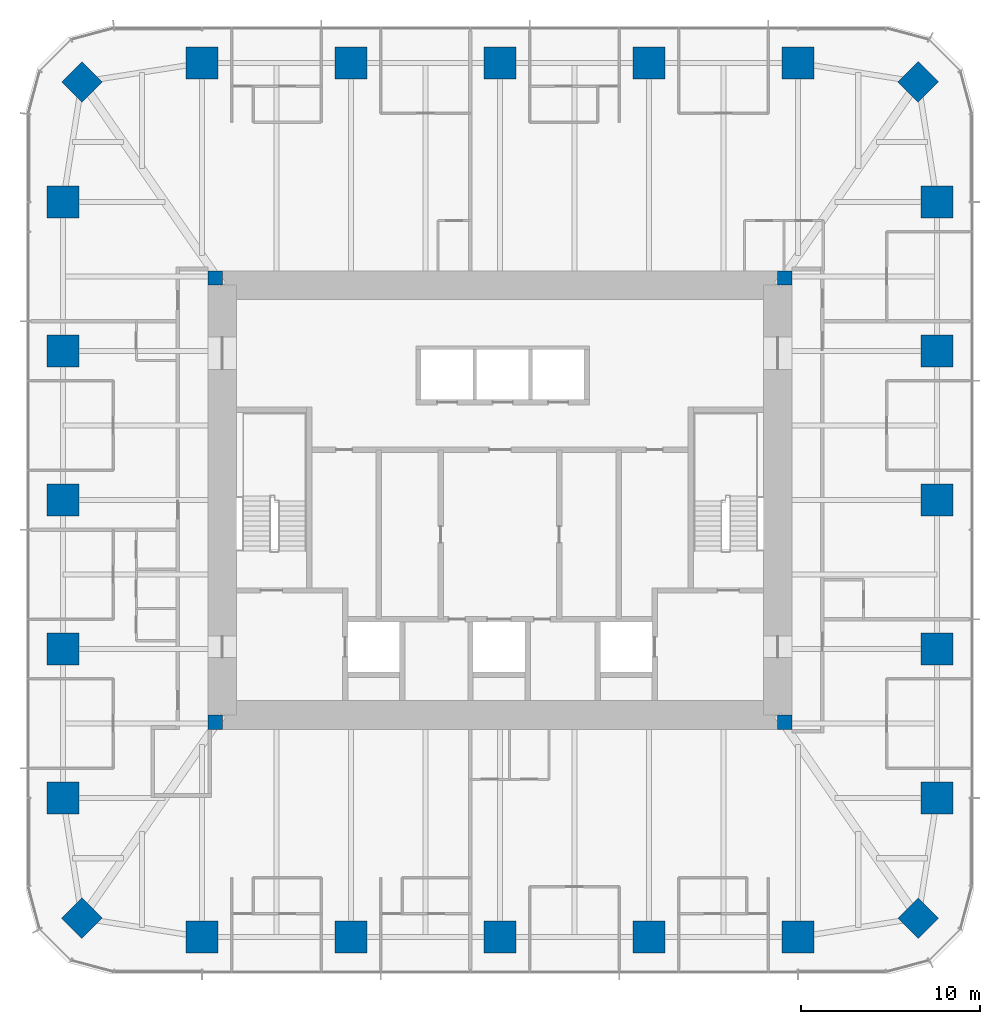
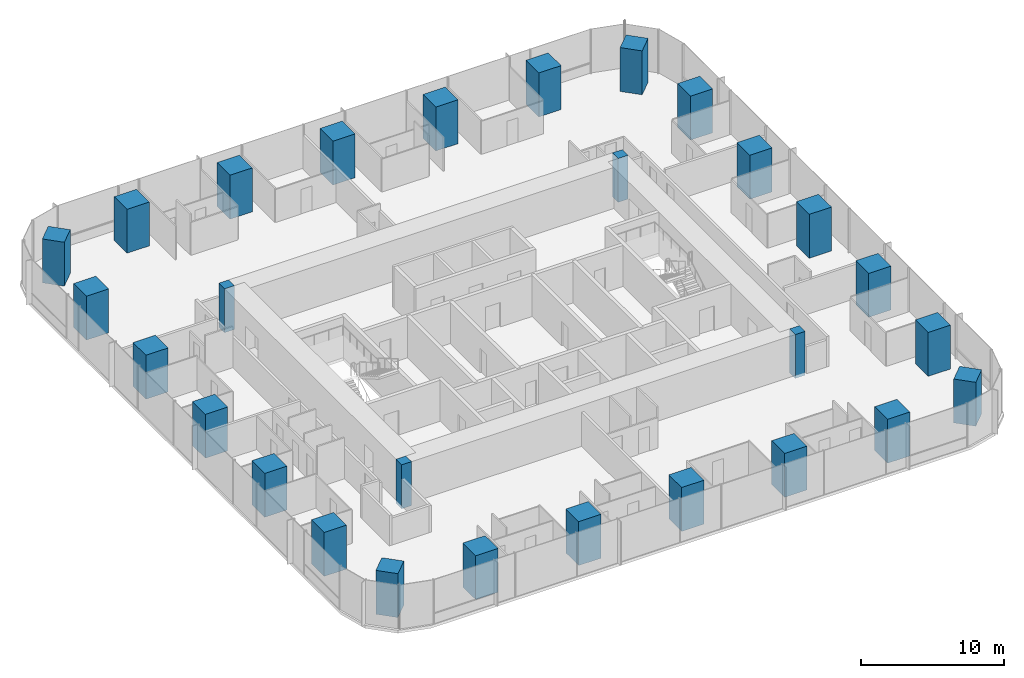
# One storey, part 1 of 12: 28 columns.
"""IFC4 building model written with IfcOpenShell, lengths in metres."""

from ifc_helpers import new_model, si_unit, direction, frame, origin, origin_2d, place, context, subcontext, project, spatial, rectangle, extrude, material, material_profile, profile_set, type_object, element, save


model = new_model("IFC4")

# Units and contexts
model_context = context("Model", 3, precision=1e-05, world=origin(), true_north=direction((0.0, 1.0)))
body_context = subcontext(model_context, "Body", "Model", "MODEL_VIEW")
ifc_project = project(units=[si_unit("LENGTHUNIT", "METRE"), si_unit("AREAUNIT", "SQUARE_METRE"), si_unit("VOLUMEUNIT", "CUBIC_METRE"), si_unit("PLANEANGLEUNIT", "RADIAN"), si_unit("MASSUNIT", "GRAM", prefix="KILO")], contexts=[model_context])

# Site, building, storey
site_placement = place(None, origin())
site = spatial("IfcSite", under=ifc_project, at=site_placement, CompositionType="ELEMENT")
building_placement = place(site_placement, origin())
building = spatial("IfcBuilding", under=site, at=building_placement, Name="Khuree Lantern Residences", CompositionType="ELEMENT")
storey_placement = place(building_placement, frame((0.0, 0.0, 214.5)))
storey = spatial("IfcBuildingStorey", under=building, at=storey_placement, Name="L53", CompositionType="ELEMENT", Elevation=214.5)

# Columns
ifc_material_1 = material(Name="Concrete C70/85", Category="concrete")
ifc_material_profile_1 = material_profile(ifc_material_1, rectangle(XDim=1.60009765625, YDim=1.60009765625, at=origin_2d()), Name="RC 1600X1600")
ifc_profile_set_1 = profile_set([ifc_material_profile_1], Name="Concrete C70/85")
column_type_1 = type_object("IfcColumnType", Name="CC1600A PERIMETER CORNER COLUMN RC 1600X1600", PredefinedType="COLUMN", material=ifc_profile_set_1)
for number, where, z_axis, x_axis, name in (
    (1, (23.345703125, 23.345703125, 0.0), (0.0, 0.0, 1.0), (0.707106781187, -0.707106781187, 0.0), "Perimeter column NE"),
    (2, (23.345703125, -23.345703125, 0.0), (0.0, 0.0, 1.0), (0.707106781187, 0.707106781187, 0.0), "Perimeter column SE"),
    (3, (-23.345703125, -23.345703125, 0.0), (0.0, 0.0, 1.0), (0.707106781187, -0.707106781187, 0.0), "Perimeter column SW"),
    (4, (-23.345703125, 23.345703125, 0.0), (0.0, 0.0, 1.0), (0.707106781187, 0.707106781187, 0.0), "Perimeter column NW"),
):
    element("IfcColumn", number, at=place(storey_placement, frame(where, z_axis=z_axis, x_axis=x_axis)), inside=storey, type_object=column_type_1, Name=name, PredefinedType="COLUMN", context=body_context, shape_type="SweptSolid", body=[
        extrude(rectangle(XDim=1.60009765625, YDim=1.60009765625, at=origin_2d()), origin(), (0.0, 0.0, 1.0), 3.75),
    ])
ifc_material_2 = material(Name="Concrete C50/60", Category="concrete")
ifc_material_profile_2 = material_profile(ifc_material_2, rectangle(XDim=0.800048828125, YDim=0.800048828125, at=origin_2d()), Name="RC 800X800")
ifc_profile_set_2 = profile_set([ifc_material_profile_2], Name="Concrete C50/60")
column_type_2 = type_object("IfcColumnType", Name="CP800-C50 CORE CORNER PIER C50 RC 800X800", PredefinedType="COLUMN", material=ifc_profile_set_2)
for number, where, z_axis, x_axis, name in (
    (5, (15.89990234375, 12.39990234375, -0.25), (0.0, 0.0, 1.0), (1.0, 0.0, 0.0), "Core corner pier NE"),
    (6, (-15.89990234375, 12.39990234375, -0.25), (0.0, 0.0, 1.0), (1.0, 0.0, 0.0), "Core corner pier NW"),
    (7, (-15.89990234375, -12.39990234375, -0.25), (0.0, 0.0, 1.0), (1.0, 0.0, 0.0), "Core corner pier SW"),
    (8, (15.89990234375, -12.39990234375, -0.25), (0.0, 0.0, 1.0), (1.0, 0.0, 0.0), "Core corner pier SE"),
):
    element("IfcColumn", number, at=place(storey_placement, frame(where, z_axis=z_axis, x_axis=x_axis)), inside=storey, type_object=column_type_2, Name=name, PredefinedType="COLUMN", context=body_context, shape_type="SweptSolid", body=[
        extrude(rectangle(XDim=0.800048828125, YDim=0.800048828125, at=origin_2d()), origin(), (0.0, 0.0, 1.0), 3.75),
    ])
ifc_material_profile_3 = material_profile(ifc_material_1, rectangle(XDim=1.800048828125, YDim=1.800048828125, at=origin_2d()), Name="RC 1800X1800")
ifc_profile_set_3 = profile_set([ifc_material_profile_3], Name="Concrete C70/85")
column_type_3 = type_object("IfcColumnType", Name="PC4 PERIMETER COLUMN RC 1800X1800", PredefinedType="COLUMN", material=ifc_profile_set_3)
for number, where, z_axis, x_axis, name in (
    (9, (-16.639892578125, 24.39990234375, 0.0), (0.0, 0.0, 1.0), (1.0, 0.0, 0.0), "Perimeter column N1"),
    (10, (-8.320068359375, 24.39990234375, 0.0), (0.0, 0.0, 1.0), (1.0, 0.0, 0.0), "Perimeter column N2"),
    (11, (0.0, 24.39990234375, 0.0), (0.0, 0.0, 1.0), (1.0, 0.0, 0.0), "Perimeter column N3"),
    (12, (8.320068359375, 24.39990234375, 0.0), (0.0, 0.0, 1.0), (1.0, 0.0, 0.0), "Perimeter column N4"),
    (13, (16.639892578125, 24.39990234375, 0.0), (0.0, 0.0, 1.0), (1.0, 0.0, 0.0), "Perimeter column N5"),
    (14, (24.39990234375, 16.639892578125, 0.0), (0.0, 0.0, 1.0), (0.0, 1.0, 0.0), "Perimeter column E1"),
    (15, (24.39990234375, 8.320068359375, 0.0), (0.0, 0.0, 1.0), (0.0, 1.0, 0.0), "Perimeter column E2"),
    (16, (24.39990234375, 0.0, 0.0), (0.0, 0.0, 1.0), (0.0, 1.0, 0.0), "Perimeter column E3"),
    (17, (24.39990234375, -8.320068359375, 0.0), (0.0, 0.0, 1.0), (0.0, 1.0, 0.0), "Perimeter column E4"),
    (18, (24.39990234375, -16.639892578125, 0.0), (0.0, 0.0, 1.0), (0.0, 1.0, 0.0), "Perimeter column E5"),
    (19, (16.639892578125, -24.39990234375, 0.0), (0.0, 0.0, 1.0), (1.0, 0.0, 0.0), "Perimeter column S1"),
    (20, (8.320068359375, -24.39990234375, 0.0), (0.0, 0.0, 1.0), (1.0, 0.0, 0.0), "Perimeter column S2"),
    (21, (0.0, -24.39990234375, 0.0), (0.0, 0.0, 1.0), (1.0, 0.0, 0.0), "Perimeter column S3"),
    (22, (-8.320068359375, -24.39990234375, 0.0), (0.0, 0.0, 1.0), (1.0, 0.0, 0.0), "Perimeter column S4"),
    (23, (-16.639892578125, -24.39990234375, 0.0), (0.0, 0.0, 1.0), (1.0, 0.0, 0.0), "Perimeter column S5"),
    (24, (-24.39990234375, -16.639892578125, 0.0), (0.0, 0.0, 1.0), (0.0, 1.0, 0.0), "Perimeter column W1"),
    (25, (-24.39990234375, -8.320068359375, 0.0), (0.0, 0.0, 1.0), (0.0, 1.0, 0.0), "Perimeter column W2"),
    (26, (-24.39990234375, 0.0, 0.0), (0.0, 0.0, 1.0), (0.0, 1.0, 0.0), "Perimeter column W3"),
    (27, (-24.39990234375, 8.320068359375, 0.0), (0.0, 0.0, 1.0), (0.0, 1.0, 0.0), "Perimeter column W4"),
    (28, (-24.39990234375, 16.639892578125, 0.0), (0.0, 0.0, 1.0), (0.0, 1.0, 0.0), "Perimeter column W5"),
):
    element("IfcColumn", number, at=place(storey_placement, frame(where, z_axis=z_axis, x_axis=x_axis)), inside=storey, type_object=column_type_3, Name=name, PredefinedType="COLUMN", context=body_context, shape_type="SweptSolid", body=[
        extrude(rectangle(XDim=1.800048828125, YDim=1.800048828125, at=origin_2d()), origin(), (0.0, 0.0, 1.0), 3.75),
    ])

save(model, "model.ifc")
